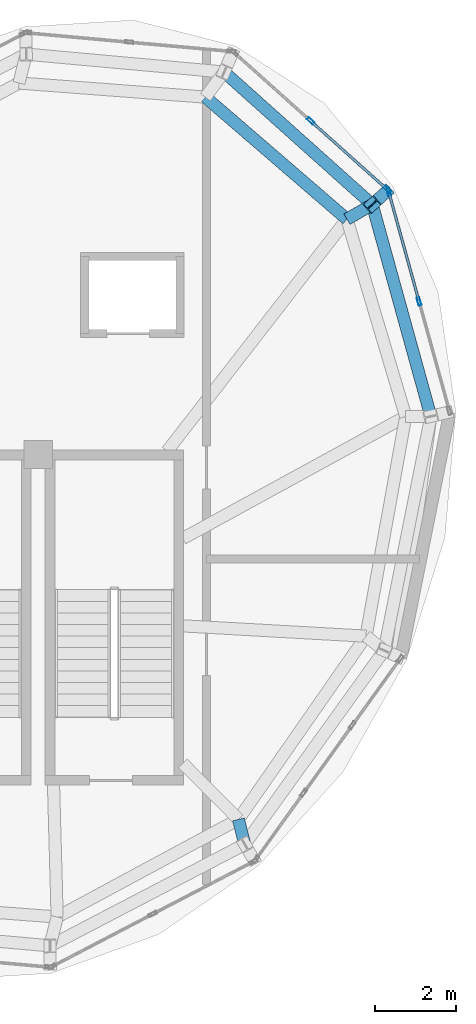
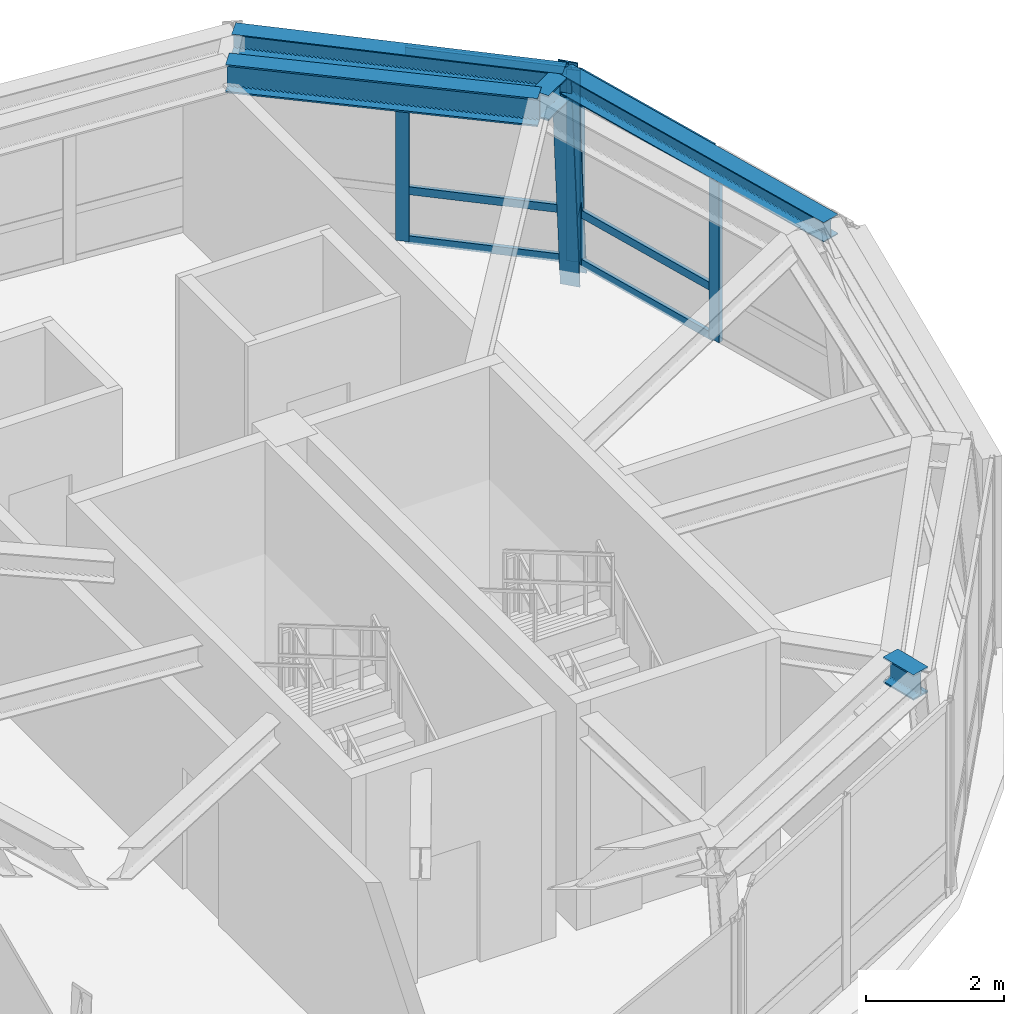
# One storey, part 6 of 9: 11 members, 5 beams, 2 elements without a shape of their own.
"""IFC4 building model written with IfcOpenShell, lengths in metres."""

from ifc_helpers import new_model, si_unit, direction, frame, origin, origin_2d, place, context, subcontext, project, spatial, hollow_rectangle, i_section, extrude, material, layer, layer_set, material_profile, profile_set, type_object, element, aggregate, save


model = new_model("IFC4")

# Units and contexts
model_context = context("Model", 3, precision=1e-05, world=origin(), true_north=direction((0.0, 1.0)))
body_context = subcontext(model_context, "Body", "Model", "MODEL_VIEW")
ifc_project = project(units=[si_unit("LENGTHUNIT", "METRE"), si_unit("AREAUNIT", "SQUARE_METRE"), si_unit("VOLUMEUNIT", "CUBIC_METRE"), si_unit("PLANEANGLEUNIT", "RADIAN"), si_unit("MASSUNIT", "GRAM", prefix="KILO"), si_unit("THERMODYNAMICTEMPERATUREUNIT", "KELVIN"), si_unit("POWERUNIT", "WATT")], contexts=[model_context])

# Site, building, storey
site_placement = place(None, origin())
site = spatial("IfcSite", under=ifc_project, at=site_placement, CompositionType="ELEMENT")
building_placement = place(site_placement, origin())
building = spatial("IfcBuilding", under=site, at=building_placement, Name="Ocrelia Relay Tower", CompositionType="ELEMENT")
storey_placement = place(building_placement, frame((0.0, 0.0, 304.0)))
storey = spatial("IfcBuildingStorey", under=building, at=storey_placement, Name="L76", CompositionType="ELEMENT", Elevation=304.0)

# Beams
ifc_material_1 = material(Name="Steel S355", Category="steel")
ifc_material_profile_1 = material_profile(ifc_material_1, i_section(OverallWidth=0.300048828125, OverallDepth=0.35009765625, WebThickness=0.010009765625, FlangeThickness=0.017578125, FilletRadius=0.027099609375, at=origin_2d()), Name="HEA 360")
ifc_profile_set_1 = profile_set([ifc_material_profile_1], Name="Steel S355")
beam_type_1 = type_object("IfcBeamType", Name="BM-HEA360", PredefinedType="SPANDREL", material=ifc_profile_set_1)
beam_1_placement = place(storey_placement, frame((43.6787109375, 28.0615234375, 3.574951171875), z_axis=(-0.266580706367, 0.96381259952, 0.0), x_axis=(-0.96381259952, -0.266580706367, 0.0)))
element("IfcBeam", 1, at=beam_1_placement, inside=storey, type_object=beam_type_1, Name="L76 Crown Faceted Ring Beam R11", PredefinedType="SPANDREL", context=body_context, shape_type="SweptSolid", body=[
    extrude(i_section(OverallWidth=0.300048828125, OverallDepth=0.35009765625, WebThickness=0.010009765625, FlangeThickness=0.017578125, FilletRadius=0.027099609375, at=origin_2d()), origin(), (0.0, 0.0, 1.0), 5.413330078125),
])
beam_2_placement = place(storey_placement, frame((42.235595703125, 33.279052734375, 3.574951171875), z_axis=(-0.745100519498, 0.666952184076, 0.0), x_axis=(-0.666952184076, -0.745100519498, 0.0)))
element("IfcBeam", 2, at=beam_2_placement, inside=storey, type_object=beam_type_1, Name="L76 Crown Faceted Ring Beam R12", PredefinedType="SPANDREL", context=body_context, shape_type="SweptSolid", body=[
    extrude(i_section(OverallWidth=0.300048828125, OverallDepth=0.35009765625, WebThickness=0.010009765625, FlangeThickness=0.017578125, FilletRadius=0.027099609375, at=origin_2d()), origin(), (0.0, 0.0, 1.0), 4.8984375),
])
ifc_material_profile_2 = material_profile(ifc_material_1, i_section(OverallWidth=0.300048828125, OverallDepth=0.449951171875, WebThickness=0.013916015625, FlangeThickness=0.02587890625, FilletRadius=0.027099609375, at=origin_2d()), Name="HEB 450")
ifc_profile_set_2 = profile_set([ifc_material_profile_2], Name="Steel S355")
beam_type_2 = type_object("IfcBeamType", Name="BM-HEB450", PredefinedType="BEAM", material=ifc_profile_set_2)
beam_3_placement = place(storey_placement, frame((39.09326171875, 17.515380859375, 3.52490234375), z_axis=(-0.246429428878, 0.969160738259, 0.0), x_axis=(-0.969160738259, -0.246429428878, 0.0)))
element("IfcBeam", 3, at=beam_3_placement, inside=storey, type_object=beam_type_2, Name="L76 Crown Step Radial Beam ST09", PredefinedType="BEAM", context=body_context, shape_type="SweptSolid", body=[
    extrude(i_section(OverallWidth=0.300048828125, OverallDepth=0.449951171875, WebThickness=0.013916015625, FlangeThickness=0.02587890625, FilletRadius=0.027099609375, at=origin_2d()), origin(), (0.0, 0.0, 1.0), 0.634033203125),
])
beam_4_placement = place(storey_placement, frame((42.235595703125, 33.279052734375, 3.52490234375), z_axis=(-0.867198919728, -0.497961879688, 0.0), x_axis=(0.497961879688, -0.867198919728, 0.0)))
element("IfcBeam", 4, at=beam_4_placement, inside=storey, type_object=beam_type_2, Name="L76 Crown Step Radial Beam ST12", PredefinedType="BEAM", context=body_context, shape_type="SweptSolid", body=[
    extrude(i_section(OverallWidth=0.300048828125, OverallDepth=0.449951171875, WebThickness=0.013916015625, FlangeThickness=0.02587890625, FilletRadius=0.027099609375, at=origin_2d()), origin(), (0.0, 0.0, 1.0), 0.720703125),
])
ifc_material_profile_3 = material_profile(ifc_material_1, i_section(OverallWidth=0.300048828125, OverallDepth=0.5, WebThickness=0.014404296875, FlangeThickness=0.028076171875, FilletRadius=0.027099609375, at=origin_2d()), Name="HEB 500")
ifc_profile_set_3 = profile_set([ifc_material_profile_3], Name="Steel S355")
beam_type_3 = type_object("IfcBeamType", Name="BM-HEB500", PredefinedType="BEAM", material=ifc_profile_set_3)
beam_5_placement = place(storey_placement, frame((41.610595703125, 32.920166015625, 3.5), z_axis=(-0.757315039468, 0.653049715562, 0.0), x_axis=(-0.653049715562, -0.757315039468, 0.0)))
element("IfcBeam", 5, at=beam_5_placement, inside=storey, type_object=beam_type_3, Name="L76 Crown Step Perimeter Ring Beam SR12", PredefinedType="BEAM", context=body_context, shape_type="SweptSolid", body=[
    extrude(i_section(OverallWidth=0.300048828125, OverallDepth=0.5, WebThickness=0.014404296875, FlangeThickness=0.028076171875, FilletRadius=0.027099609375, at=origin_2d()), origin(), (0.0, 0.0, 1.0), 4.605712890625),
])

# Curtain wall, members
ifc_material_2 = material(Name="Aluminium and solar-control low-E glass", Category="aluminium")
ifc_layer = layer(ifc_material_2, 0.179931640625, Name="Aluminium and solar-control low-E glass")
ifc_layer_set = layer_set([ifc_layer], Name="Aluminium and solar-control low-E glass")
curtain_wall_type = type_object("IfcCurtainWallType", Name="CW-SYS-CROWN-PT", PredefinedType="NOTDEFINED", material=ifc_layer_set)
curtain_wall_1_placement = place(storey_placement, origin())
curtain_wall_1 = element("IfcCurtainWall", 6, at=curtain_wall_1_placement, inside=storey, type_object=curtain_wall_type, Name="L76 Faceted Glass-Point Crown Curtain Wall 11", PredefinedType="NOTDEFINED")
ifc_material_3 = material(Name="Anodised bronze aluminium", Category="aluminium")
ifc_material_profile_4 = material_profile(ifc_material_3, hollow_rectangle(XDim=0.074951171875, YDim=0.199951171875, WallThickness=0.006103515625, at=origin_2d()), Name="CW-MUL-200x75")
ifc_profile_set_4 = profile_set([ifc_material_profile_4], Name="Anodised bronze aluminium")
member_type_1 = type_object("IfcMemberType", Name="CW-SYS-CROWN-PT-MUL", PredefinedType="MULLION", material=ifc_profile_set_4)
member_1_placement = place(storey_placement, frame((43.388916015625, 30.892333984375, 0.0), z_axis=(0.0, 0.0, 1.0), x_axis=(-0.963737274825, -0.266852890397, 0.0)))
member_1 = element("IfcMember", 7, at=member_1_placement, type_object=member_type_1, Name="CW-CR mullion 2", PredefinedType="MULLION", context=body_context, shape_type="SweptSolid", body=[
    extrude(hollow_rectangle(XDim=0.074951171875, YDim=0.199951171875, WallThickness=0.006103515625, at=origin_2d()), origin(), (0.0, 0.0, 1.0), 3.389892578125),
])
member_2_placement = place(storey_placement, frame((42.641845703125, 33.590087890625, 0.0), z_axis=(0.0, 0.0, 1.0), x_axis=(-0.963737274825, -0.266852890397, 0.0)))
member_2 = element("IfcMember", 8, at=member_2_placement, type_object=member_type_1, Name="CW-CR mullion 3", PredefinedType="MULLION", context=body_context, shape_type="SweptSolid", body=[
    extrude(hollow_rectangle(XDim=0.074951171875, YDim=0.199951171875, WallThickness=0.006103515625, at=origin_2d()), origin(), (0.0, 0.0, 1.0), 3.389892578125),
])

curtain_wall_2_placement = place(storey_placement, origin())
curtain_wall_2 = element("IfcCurtainWall", 9, at=curtain_wall_2_placement, inside=storey, type_object=curtain_wall_type, Name="L76 Faceted Glass-Point Crown Curtain Wall 12", PredefinedType="NOTDEFINED")
member_3_placement = place(storey_placement, frame((42.60400390625, 33.651123046875, 0.0), z_axis=(0.0, 0.0, 1.0), x_axis=(-0.666821042262, -0.745217885988, 0.0)))
member_3 = element("IfcMember", 10, at=member_3_placement, type_object=member_type_1, Name="CW-CR mullion 1", PredefinedType="MULLION", context=body_context, shape_type="SweptSolid", body=[
    extrude(hollow_rectangle(XDim=0.074951171875, YDim=0.199951171875, WallThickness=0.006103515625, at=origin_2d()), origin(), (0.0, 0.0, 1.0), 3.389892578125),
])
member_4_placement = place(storey_placement, frame((40.718505859375, 35.33837890625, 0.0), z_axis=(0.0, 0.0, 1.0), x_axis=(-0.666821042262, -0.745217885988, 0.0)))
member_4 = element("IfcMember", 11, at=member_4_placement, type_object=member_type_1, Name="CW-CR mullion 2", PredefinedType="MULLION", context=body_context, shape_type="SweptSolid", body=[
    extrude(hollow_rectangle(XDim=0.074951171875, YDim=0.199951171875, WallThickness=0.006103515625, at=origin_2d()), origin(), (0.0, 0.0, 1.0), 3.389892578125),
])

# Member
ifc_material_profile_5 = material_profile(ifc_material_3, hollow_rectangle(XDim=0.06494140625, YDim=0.139892578125, WallThickness=0.0048828125, at=origin_2d()), Name="CW-TRN-140x65")
ifc_profile_set_5 = profile_set([ifc_material_profile_5], Name="Anodised bronze aluminium")
member_type_2 = type_object("IfcMemberType", Name="CW-SYS-CROWN-PT-TRN", PredefinedType="USERDEFINED", material=ifc_profile_set_5)
member_5_placement = place(storey_placement, frame((43.37890625, 30.928466796875, 0.032470703125), z_axis=(-0.26687652196, 0.963730731079, 0.0), x_axis=(-0.963730731079, -0.26687652196, 0.0)))
member_5 = element("IfcMember", 12, at=member_5_placement, type_object=member_type_2, Name="CW-CR transom 2.1", ObjectType="TRANSOM", PredefinedType="USERDEFINED", context=body_context, shape_type="SweptSolid", body=[
    extrude(hollow_rectangle(XDim=0.06494140625, YDim=0.139892578125, WallThickness=0.0048828125, at=origin_2d()), origin(), (0.0, 0.0, 1.0), 2.724365234375),
])

member_6_placement = place(storey_placement, frame((43.37890625, 30.928466796875, 0.89990234375), z_axis=(-0.26687652196, 0.963730731079, 0.0), x_axis=(-0.963730731079, -0.26687652196, 0.0)))
member_6 = element("IfcMember", 13, at=member_6_placement, type_object=member_type_2, Name="CW-CR transom 2.2", ObjectType="TRANSOM", PredefinedType="USERDEFINED", context=body_context, shape_type="SweptSolid", body=[
    extrude(hollow_rectangle(XDim=0.06494140625, YDim=0.139892578125, WallThickness=0.0048828125, at=origin_2d()), origin(), (0.0, 0.0, 1.0), 2.724365234375),
])

member_7_placement = place(storey_placement, frame((43.37890625, 30.928466796875, 3.357421875), z_axis=(-0.26687652196, 0.963730731079, 0.0), x_axis=(-0.963730731079, -0.26687652196, 0.0)))
member_7 = element("IfcMember", 14, at=member_7_placement, type_object=member_type_2, Name="CW-CR transom 2.3", ObjectType="TRANSOM", PredefinedType="USERDEFINED", context=body_context, shape_type="SweptSolid", body=[
    extrude(hollow_rectangle(XDim=0.06494140625, YDim=0.139892578125, WallThickness=0.0048828125, at=origin_2d()), origin(), (0.0, 0.0, 1.0), 2.724365234375),
])

aggregate(curtain_wall_1, [member_1, member_2, member_5, member_6, member_7])

member_8_placement = place(storey_placement, frame((42.575927734375, 33.67626953125, 0.032470703125), z_axis=(-0.745199700463, 0.666841365266, 0.0), x_axis=(-0.666841365266, -0.745199700463, 0.0)))
member_8 = element("IfcMember", 15, at=member_8_placement, type_object=member_type_2, Name="CW-CR transom 1.1", ObjectType="TRANSOM", PredefinedType="USERDEFINED", context=body_context, shape_type="SweptSolid", body=[
    extrude(hollow_rectangle(XDim=0.06494140625, YDim=0.139892578125, WallThickness=0.0048828125, at=origin_2d()), origin(), (0.0, 0.0, 1.0), 2.455078125),
])

member_9_placement = place(storey_placement, frame((42.575927734375, 33.67626953125, 0.89990234375), z_axis=(-0.745199700463, 0.666841365266, 0.0), x_axis=(-0.666841365266, -0.745199700463, 0.0)))
member_9 = element("IfcMember", 16, at=member_9_placement, type_object=member_type_2, Name="CW-CR transom 1.2", ObjectType="TRANSOM", PredefinedType="USERDEFINED", context=body_context, shape_type="SweptSolid", body=[
    extrude(hollow_rectangle(XDim=0.06494140625, YDim=0.139892578125, WallThickness=0.0048828125, at=origin_2d()), origin(), (0.0, 0.0, 1.0), 2.455078125),
])

member_10_placement = place(storey_placement, frame((42.575927734375, 33.67626953125, 3.357421875), z_axis=(-0.745199700463, 0.666841365266, 0.0), x_axis=(-0.666841365266, -0.745199700463, 0.0)))
member_10 = element("IfcMember", 17, at=member_10_placement, type_object=member_type_2, Name="CW-CR transom 1.3", ObjectType="TRANSOM", PredefinedType="USERDEFINED", context=body_context, shape_type="SweptSolid", body=[
    extrude(hollow_rectangle(XDim=0.06494140625, YDim=0.139892578125, WallThickness=0.0048828125, at=origin_2d()), origin(), (0.0, 0.0, 1.0), 2.455078125),
])

aggregate(curtain_wall_2, [member_3, member_4, member_8, member_9, member_10])

ifc_material_profile_6 = material_profile(ifc_material_1, i_section(OverallWidth=0.300048828125, OverallDepth=0.340087890625, WebThickness=0.011962890625, FlangeThickness=0.021484375, FilletRadius=0.027099609375, at=origin_2d()), Name="HEB 340")
ifc_profile_set_6 = profile_set([ifc_material_profile_6], Name="Steel S355")
member_type_3 = type_object("IfcMemberType", Name="MB-CROWN-RIB", PredefinedType="STRUT", material=ifc_profile_set_6)
member_11_placement = place(storey_placement, frame((42.551513671875, 33.566650390625, -0.25), z_axis=(-0.078532839075, -0.071492800951, 0.994344695062), x_axis=(0.673184623362, -0.73947445045, 0.0)))
element("IfcMember", 18, at=member_11_placement, inside=storey, type_object=member_type_3, Name="L76 Crown Faceted Structural Strut Rib CR12", PredefinedType="STRUT", context=body_context, shape_type="SweptSolid", body=[
    extrude(i_section(OverallWidth=0.300048828125, OverallDepth=0.340087890625, WebThickness=0.011962890625, FlangeThickness=0.021484375, FilletRadius=0.027099609375, at=origin_2d()), origin(), (0.0, 0.0, 1.0), 4.022705078125),
])

save(model, "model.ifc")
